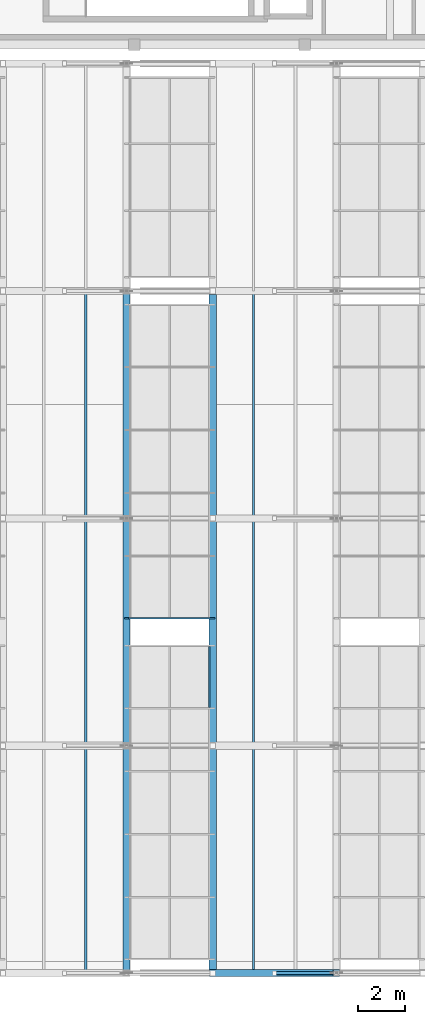
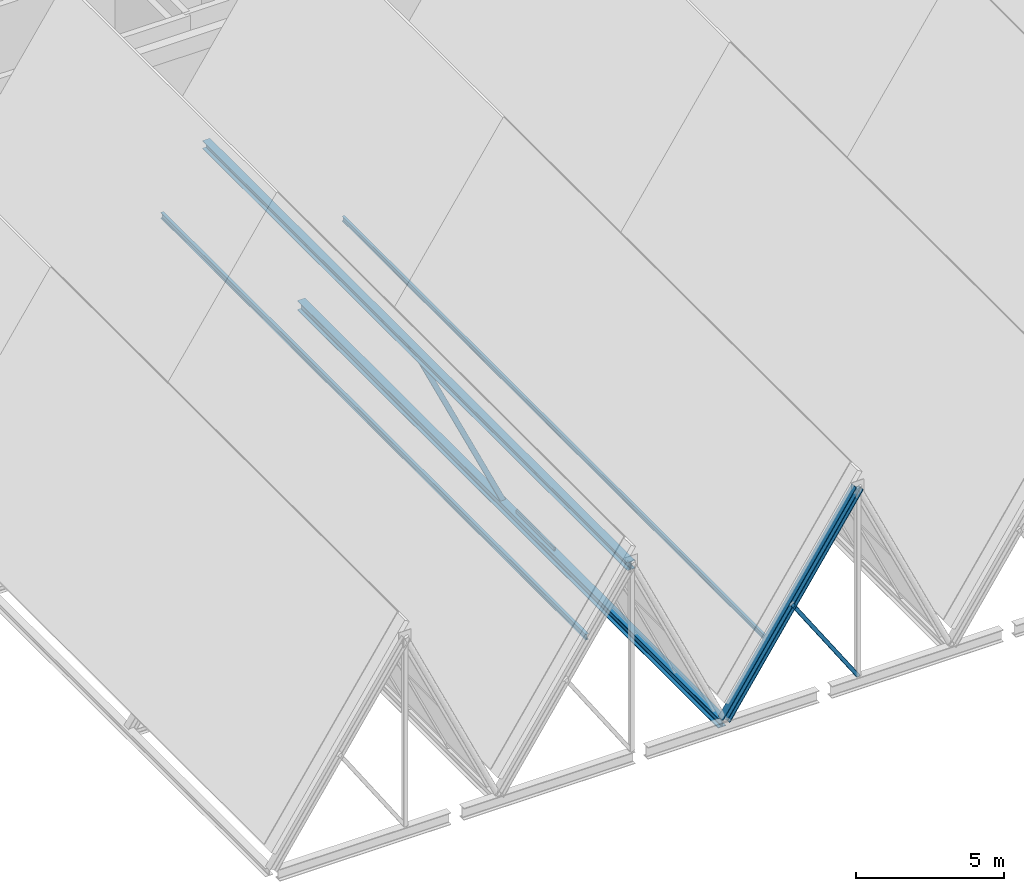
# One storey, part 42 of 99: 6 members, 2 beams, 2 elements without a shape of their own.
"""IFC4 building model written with IfcOpenShell, lengths in metres."""

from ifc_helpers import new_model, si_unit, direction, frame, origin, origin_2d, place, context, subcontext, project, spatial, hollow_rectangle, i_section, extrude, material, material_profile, profile_set, type_object, element, aggregate, save


model = new_model("IFC4")

# Units and contexts
model_context = context("Model", 3, precision=1e-05, world=origin(), true_north=direction((0.0, 1.0)))
body_context = subcontext(model_context, "Body", "Model", "MODEL_VIEW")
ifc_project = project(units=[si_unit("LENGTHUNIT", "METRE"), si_unit("AREAUNIT", "SQUARE_METRE"), si_unit("VOLUMEUNIT", "CUBIC_METRE"), si_unit("PLANEANGLEUNIT", "RADIAN"), si_unit("MASSUNIT", "GRAM", prefix="KILO")], contexts=[model_context])

# Site, building, storey
site_placement = place(None, origin())
site = spatial("IfcSite", under=ifc_project, at=site_placement, CompositionType="ELEMENT")
building_placement = place(site_placement, origin())
building = spatial("IfcBuilding", under=site, at=building_placement, Name="Bramveld Media Centre", CompositionType="ELEMENT")
storey_placement = place(building_placement, frame((0.0, 0.0, 13.800048828125)))
storey = spatial("IfcBuildingStorey", under=building, at=storey_placement, Name="L03", CompositionType="ELEMENT", Elevation=13.800048828125)

# Curtain wall, member
ifc_material_1 = material(Name="Thermally broken anodized bronze aluminium unitized curtain wall with solar-control triple glazing", Category="aluminium")
curtain_wall_type = type_object("IfcCurtainWallType", Name="CW-SAW-13300x8606", PredefinedType="NOTDEFINED", material=ifc_material_1)
curtain_wall_1_placement = place(storey_placement, origin())
curtain_wall_1 = element("IfcCurtainWall", 1, at=curtain_wall_1_placement, inside=storey, type_object=curtain_wall_type, Name="V1 sawtooth north-light clerestory B2-S2", PredefinedType="NOTDEFINED")
ifc_material_2 = material(Name="Thermally broken anodized bronze aluminium EN AW-6063 T6 curtain-wall framing", Category="aluminium")
ifc_material_profile_1 = material_profile(ifc_material_2, hollow_rectangle(XDim=0.070068359375, YDim=0.199951171875, WallThickness=0.00439453125, InnerFilletRadius=0.00439453125, OuterFilletRadius=0.009033203125, at=origin_2d()), Name="AL-MULL 70x200")
ifc_profile_set_1 = profile_set([ifc_material_profile_1], Name="Thermally broken anodized bronze aluminium EN AW-6063 T6 curtain-wall framing")
member_type_1 = type_object("IfcMemberType", Name="CW-MULL-SLP", PredefinedType="MULLION", material=ifc_profile_set_1)
member_1_placement = place(storey_placement, frame((141.71435546875, 14.985107421875, -0.02001953125), z_axis=(-0.423980334249, 0.0, 0.905671395248), x_axis=(0.0, -1.0, 0.0)))
member_1 = element("IfcMember", 2, at=member_1_placement, type_object=member_type_1, Name="CW-SA-13386 sloped mullion 1", PredefinedType="MULLION", context=body_context, shape_type="SweptSolid", body=[
    extrude(hollow_rectangle(XDim=0.070068359375, YDim=0.199951171875, WallThickness=0.00439453125, InnerFilletRadius=0.00439453125, OuterFilletRadius=0.009033203125, at=origin_2d()), origin(), (0.0, 0.0, 1.0), 8.579345703125),
])
aggregate(curtain_wall_1, [member_1])

curtain_wall_2_placement = place(storey_placement, origin())
curtain_wall_2 = element("IfcCurtainWall", 3, at=curtain_wall_2_placement, inside=storey, type_object=curtain_wall_type, Name="V1 sawtooth north-light clerestory B2-S1", PredefinedType="NOTDEFINED")
ifc_material_3 = material(Name="Thermally broken anodized bronze aluminium EN AW-6063 T6 curtain-wall framing", Category="aluminium")
ifc_material_profile_2 = material_profile(ifc_material_3, hollow_rectangle(XDim=0.070068359375, YDim=0.14990234375, WallThickness=0.00390625, InnerFilletRadius=0.00390625, OuterFilletRadius=0.008056640625, at=origin_2d()), Name="AL-TRAN 70x150")
ifc_profile_set_2 = profile_set([ifc_material_profile_2], Name="Thermally broken anodized bronze aluminium EN AW-6063 T6 curtain-wall framing")
member_type_2 = type_object("IfcMemberType", Name="CW-TRAN-SLP", PredefinedType="USERDEFINED", material=ifc_profile_set_2)
member_2_placement = place(storey_placement, frame((141.56884765625, 11.22509765625, 0.290771484375), z_axis=(0.0, 1.0, 0.0), x_axis=(-1.0, 0.0, 0.0)))
member_2 = element("IfcMember", 4, at=member_2_placement, type_object=member_type_2, Name="CW-SA-13386 transom 5.1", ObjectType="TRANSOM", PredefinedType="USERDEFINED", context=body_context, shape_type="SweptSolid", body=[
    extrude(hollow_rectangle(XDim=0.070068359375, YDim=0.14990234375, WallThickness=0.00390625, InnerFilletRadius=0.00390625, OuterFilletRadius=0.008056640625, at=origin_2d()), origin(), (0.0, 0.0, 1.0), 2.554931640625),
])
aggregate(curtain_wall_2, [member_2])

# Members
ifc_material_4 = material(Name="Steel S355J2H", Category="steel")
ifc_material_profile_3 = material_profile(ifc_material_4, hollow_rectangle(XDim=0.14990234375, YDim=0.14990234375, WallThickness=0.010009765625, InnerFilletRadius=0.010009765625, OuterFilletRadius=0.02001953125, at=origin_2d()), Name="SHS 150x150x10")
ifc_profile_set_3 = profile_set([ifc_material_profile_3], Name="Steel S355J2H")
member_type_3 = type_object("IfcMemberType", Name="MEM-BRACE-SHS150", PredefinedType="BRACE", material=ifc_profile_set_3)
member_3_placement = place(storey_placement, frame((146.93408203125, 0.0, 0.0), z_axis=(-0.55616408489, 0.0, 0.83107250627), x_axis=(0.0, -1.0, 0.0)))
element("IfcMember", 5, at=member_3_placement, inside=storey, type_object=member_type_3, Name="TRUSS-V1-B03-F1 web diagonal", PredefinedType="BRACE", context=body_context, shape_type="SweptSolid", body=[
    extrude(hollow_rectangle(XDim=0.14990234375, YDim=0.14990234375, WallThickness=0.010009765625, InnerFilletRadius=0.010009765625, OuterFilletRadius=0.02001953125, at=origin_2d()), origin(), (0.0, 0.0, 1.0), 4.692626953125),
])
ifc_material_5 = material(Name="Steel S355J2", Category="steel")
ifc_material_profile_4 = material_profile(ifc_material_5, i_section(OverallWidth=0.300048828125, OverallDepth=0.340087890625, WebThickness=0.011962890625, FlangeThickness=0.021484375, FilletRadius=0.027099609375, at=origin_2d()), Name="HEB 340")
ifc_profile_set_4 = profile_set([ifc_material_profile_4], Name="Steel S355J2")
member_type_4 = type_object("IfcMemberType", Name="MEM-CHORD-HEB340", PredefinedType="CHORD", material=ifc_profile_set_4)
member_4_placement = place(storey_placement, frame((141.71435546875, 0.0, 0.0), z_axis=(0.55615206142, 0.0, 0.8310805524), x_axis=(0.0, 1.0, 0.0)))
element("IfcMember", 6, at=member_4_placement, inside=storey, type_object=member_type_4, Name="TRUSS-V1-B03-F1 top rafter chord", PredefinedType="CHORD", context=body_context, shape_type="SweptSolid", body=[
    extrude(i_section(OverallWidth=0.300048828125, OverallDepth=0.340087890625, WebThickness=0.011962890625, FlangeThickness=0.021484375, FilletRadius=0.027099609375, at=origin_2d()), origin(), (0.0, 0.0, 1.0), 9.385498046875),
])
ifc_material_6 = material(Name="Steel S355J2", Category="steel")
ifc_material_profile_5 = material_profile(ifc_material_6, i_section(OverallWidth=0.10009765625, OverallDepth=0.199951171875, WebThickness=0.005615234375, FlangeThickness=0.008544921875, FilletRadius=0.011962890625, at=origin_2d()), Name="IPE 200")
ifc_profile_set_5 = profile_set([ifc_material_profile_5], Name="Steel S355J2")
member_type_5 = type_object("IfcMemberType", Name="MEM-PURLIN-IPE200", PredefinedType="PURLIN", material=ifc_profile_set_5)
member_5_placement = place(storey_placement, frame((143.43701171875, 0.0, 2.666259765625), z_axis=(0.0, 1.0, 0.0), x_axis=(-1.0, 0.0, 0.0)))
element("IfcMember", 7, at=member_5_placement, inside=storey, type_object=member_type_5, Name="V1 roof purlin", PredefinedType="PURLIN", context=body_context, shape_type="SweptSolid", body=[
    extrude(i_section(OverallWidth=0.10009765625, OverallDepth=0.199951171875, WebThickness=0.005615234375, FlangeThickness=0.008544921875, FilletRadius=0.011962890625, at=origin_2d()), origin(), (0.0, 0.0, 1.0), 28.800048828125),
])
ifc_material_7 = material(Name="Steel S355J2", Category="steel")
ifc_material_profile_6 = material_profile(ifc_material_7, i_section(OverallWidth=0.1201171875, OverallDepth=0.239990234375, WebThickness=0.006103515625, FlangeThickness=0.009765625, FilletRadius=0.014892578125, at=origin_2d()), Name="IPE 240")
ifc_profile_set_6 = profile_set([ifc_material_profile_6], Name="Steel S355J2")
member_type_6 = type_object("IfcMemberType", Name="MEM-PURLIN-IPE240", PredefinedType="PURLIN", material=ifc_profile_set_6)
member_6_placement = place(storey_placement, frame((136.3544921875, 0.0, 5.283447265625), z_axis=(0.0, 1.0, 0.0), x_axis=(-1.0, 0.0, 0.0)))
element("IfcMember", 8, at=member_6_placement, inside=storey, type_object=member_type_6, Name="V1 roof purlin", PredefinedType="PURLIN", context=body_context, shape_type="SweptSolid", body=[
    extrude(i_section(OverallWidth=0.1201171875, OverallDepth=0.239990234375, WebThickness=0.006103515625, FlangeThickness=0.009765625, FilletRadius=0.014892578125, at=origin_2d()), origin(), (0.0, 0.0, 1.0), 28.800048828125),
])

# Beams
ifc_material_8 = material(Name="Steel S355J2", Category="steel")
ifc_material_profile_7 = material_profile(ifc_material_8, i_section(OverallWidth=0.300048828125, OverallDepth=0.330078125, WebThickness=0.009521484375, FlangeThickness=0.0166015625, FilletRadius=0.027099609375, at=origin_2d()), Name="HEA 340")
ifc_profile_set_7 = profile_set([ifc_material_profile_7], Name="Steel S355J2")
beam_type_1 = type_object("IfcBeamType", Name="SBM-INT-HEA-340", PredefinedType="BEAM", material=ifc_profile_set_7)
beam_1_placement = place(storey_placement, frame((138.076904296875, 0.0, 7.635009765625), z_axis=(0.0, 1.0, 0.0), x_axis=(-1.0, 0.0, 0.0)))
element("IfcBeam", 9, at=beam_1_placement, inside=storey, type_object=beam_type_1, Name="V1 ridge spine beam", PredefinedType="BEAM", context=body_context, shape_type="SweptSolid", body=[
    extrude(i_section(OverallWidth=0.300048828125, OverallDepth=0.330078125, WebThickness=0.009521484375, FlangeThickness=0.0166015625, FilletRadius=0.027099609375, at=origin_2d()), origin(), (0.0, 0.0, 1.0), 28.800048828125),
])
ifc_material_9 = material(Name="Steel S355J2", Category="steel")
ifc_material_profile_8 = material_profile(ifc_material_9, i_section(OverallWidth=0.300048828125, OverallDepth=0.39990234375, WebThickness=0.013427734375, FlangeThickness=0.02392578125, FilletRadius=0.027099609375, at=origin_2d()), Name="HEB 400")
ifc_profile_set_8 = profile_set([ifc_material_profile_8], Name="Steel S355J2")
beam_type_2 = type_object("IfcBeamType", Name="SBM-INT-HEB-400", PredefinedType="BEAM", material=ifc_profile_set_8)
beam_2_placement = place(storey_placement, frame((141.71435546875, 0.139892578125, -0.199951171875), z_axis=(0.0, 1.0, 0.0), x_axis=(-1.0, 0.0, 0.0)))
element("IfcBeam", 10, at=beam_2_placement, inside=storey, type_object=beam_type_2, Name="V1 valley spine girder 2", PredefinedType="BEAM", context=body_context, shape_type="SweptSolid", body=[
    extrude(i_section(OverallWidth=0.300048828125, OverallDepth=0.39990234375, WebThickness=0.013427734375, FlangeThickness=0.02392578125, FilletRadius=0.027099609375, at=origin_2d()), origin(), (0.0, 0.0, 1.0), 28.52001953125),
])

save(model, "model.ifc")
